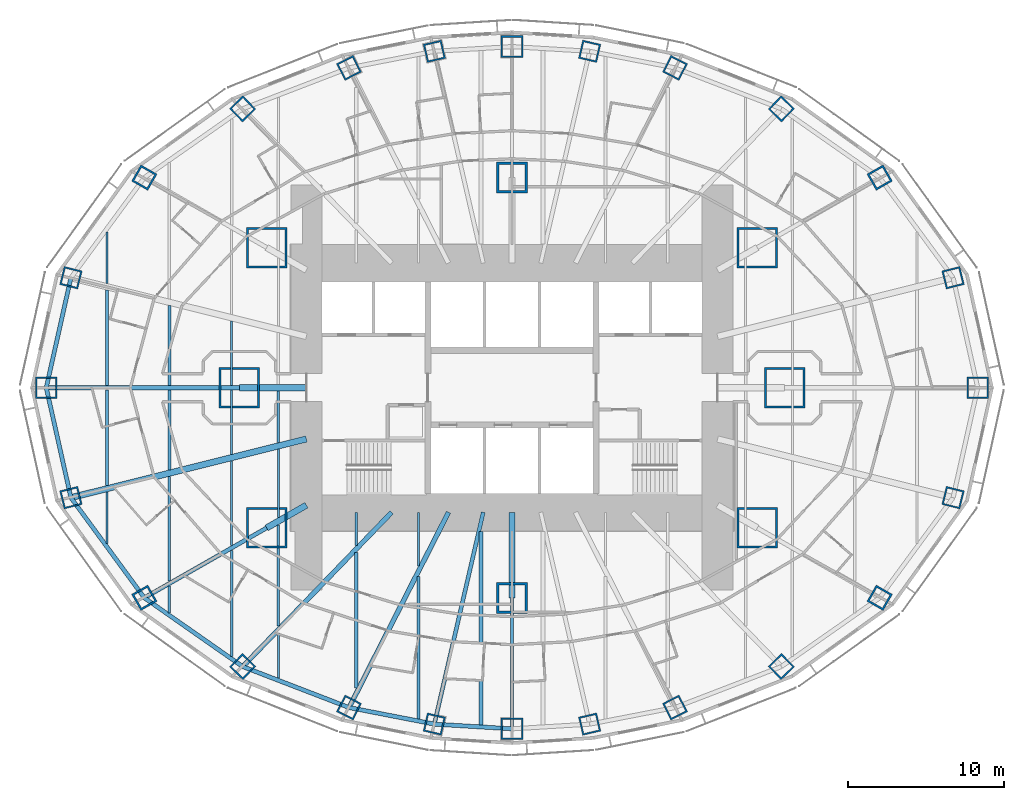
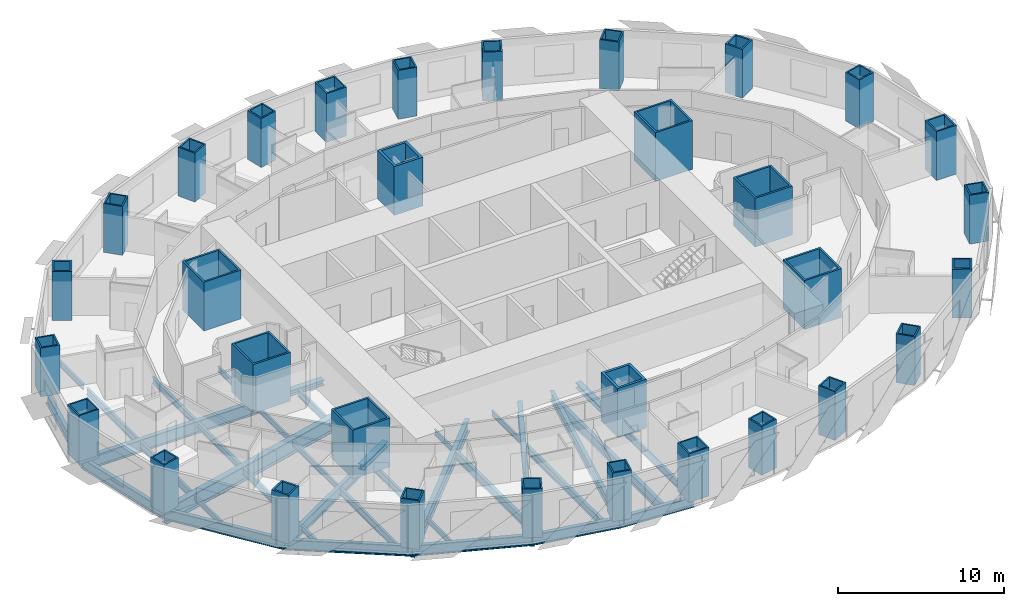
# One storey, part 1 of 15: 38 beams, 32 columns.
"""IFC4 building model written with IfcOpenShell, lengths in metres."""

from ifc_helpers import new_model, si_unit, direction, frame, origin, origin_2d, place, context, subcontext, project, spatial, rectangle, hollow_rectangle, i_section, extrude, material, material_profile, profile_set, type_object, element, save


model = new_model("IFC4")

# Units and contexts
model_context = context("Model", 3, precision=1e-05, world=origin(), true_north=direction((0.0, 1.0)))
body_context = subcontext(model_context, "Body", "Model", "MODEL_VIEW")
ifc_project = project(units=[si_unit("LENGTHUNIT", "METRE"), si_unit("AREAUNIT", "SQUARE_METRE"), si_unit("VOLUMEUNIT", "CUBIC_METRE"), si_unit("PLANEANGLEUNIT", "RADIAN"), si_unit("MASSUNIT", "GRAM", prefix="KILO")], contexts=[model_context])

# Site, building, storey
site_placement = place(None, origin())
site = spatial("IfcSite", under=ifc_project, at=site_placement, CompositionType="ELEMENT")
building_placement = place(site_placement, origin())
building = spatial("IfcBuilding", under=site, at=building_placement, Name="Lantaw Convention Tower", CompositionType="ELEMENT")
storey_placement = place(building_placement, frame((0.0, 0.0, 62.199951171875)))
storey = spatial("IfcBuildingStorey", under=building, at=storey_placement, Name="L13", CompositionType="ELEMENT", Elevation=62.199951171875)

# Columns
ifc_material_1 = material(Name="Steel EN 10025-3 S460N", Category="steel")
ifc_material_profile_1 = material_profile(ifc_material_1, hollow_rectangle(XDim=2.0, YDim=2.0, WallThickness=0.169921875, at=origin_2d()), Name="BOX2000X170")
ifc_material_2 = material(Name="Concrete C60/75", Category="concrete")
ifc_material_profile_2 = material_profile(ifc_material_2, rectangle(XDim=1.659912109375, YDim=1.659912109375, at=origin_2d()), Name="Concrete fill of BOX2000X170")
ifc_profile_set_1 = profile_set([ifc_material_profile_1, ifc_material_profile_2], Name="Steel EN 10025-3 S460N")
column_type_1 = type_object("IfcColumnType", Name="Column MC BOX2000X170", PredefinedType="COLUMN", material=ifc_profile_set_1)
for number, where, z_axis, x_axis, name in (
    (1, (0.0, 13.5, 0.0), (0.0, 0.0, 1.0), (1.0, 0.0, 0.0), "Mega column M3"),
    (2, (0.0, -13.5, 0.0), (0.0, 0.0, 1.0), (1.0, 0.0, 0.0), "Mega column M7"),
):
    element("IfcColumn", number, at=place(storey_placement, frame(where, z_axis=z_axis, x_axis=x_axis)), inside=storey, type_object=column_type_1, Name=name, PredefinedType="COLUMN", context=body_context, shape_type="SweptSolid", body=[
        extrude(hollow_rectangle(XDim=2.0, YDim=2.0, WallThickness=0.169921875, at=origin_2d()), origin(), (0.0, 0.0, 1.0), 3.60009765625),
    ])
ifc_material_profile_3 = material_profile(ifc_material_1, hollow_rectangle(XDim=2.60009765625, YDim=2.60009765625, WallThickness=0.1298828125, at=origin_2d()), Name="BOX2600X130")
ifc_material_profile_4 = material_profile(ifc_material_2, rectangle(XDim=2.340087890625, YDim=2.340087890625, at=origin_2d()), Name="Concrete fill of BOX2600X130")
ifc_profile_set_2 = profile_set([ifc_material_profile_3, ifc_material_profile_4], Name="Steel EN 10025-3 S460N")
column_type_2 = type_object("IfcColumnType", Name="Column MC BOX2600X130", PredefinedType="COLUMN", material=ifc_profile_set_2)
for number, where, z_axis, x_axis, name in (
    (3, (17.5, 0.0, 0.0), (0.0, 0.0, 1.0), (1.0, 0.0, 0.0), "Mega column M1"),
    (4, (15.75, 9.0, 0.0), (0.0, 0.0, 1.0), (1.0, 0.0, 0.0), "Mega column M2"),
    (5, (-15.75, 9.0, 0.0), (0.0, 0.0, 1.0), (1.0, 0.0, 0.0), "Mega column M4"),
    (6, (-17.5, 0.0, 0.0), (0.0, 0.0, 1.0), (1.0, 0.0, 0.0), "Mega column M5"),
    (7, (-15.75, -9.0, 0.0), (0.0, 0.0, 1.0), (1.0, 0.0, 0.0), "Mega column M6"),
    (8, (15.75, -9.0, 0.0), (0.0, 0.0, 1.0), (1.0, 0.0, 0.0), "Mega column M8"),
):
    element("IfcColumn", number, at=place(storey_placement, frame(where, z_axis=z_axis, x_axis=x_axis)), inside=storey, type_object=column_type_2, Name=name, PredefinedType="COLUMN", context=body_context, shape_type="SweptSolid", body=[
        extrude(hollow_rectangle(XDim=2.60009765625, YDim=2.60009765625, WallThickness=0.1298828125, at=origin_2d()), origin(), (0.0, 0.0, 1.0), 3.60009765625),
    ])
ifc_material_profile_5 = material_profile(ifc_material_1, hollow_rectangle(XDim=1.199951171875, YDim=1.199951171875, WallThickness=0.10009765625, at=origin_2d()), Name="BOX1200X100")
ifc_material_profile_6 = material_profile(ifc_material_2, rectangle(XDim=1.0, YDim=1.0, at=origin_2d()), Name="Concrete fill of BOX1200X100")
ifc_profile_set_3 = profile_set([ifc_material_profile_5, ifc_material_profile_6], Name="Steel EN 10025-3 S460N")
column_type_3 = type_object("IfcColumnType", Name="Column PC BOX1200X100", PredefinedType="COLUMN", material=ifc_profile_set_3)
for number, where, z_axis, x_axis, name in (
    (9, (28.31787109375, 7.060302734375, 0.0), (0.0, 0.0, 1.0), (0.970295726276, 0.2419218956, 0.0), "Perimeter column P2"),
    (10, (17.290771484375, 17.9052734375, 0.0), (0.0, 0.0, 1.0), (0.694658370459, 0.719339800339, 0.0), "Perimeter column P4"),
    (11, (10.462646484375, 20.533935546875, 0.0), (0.0, 0.0, 1.0), (0.45399049974, 0.891006524188, 0.0), "Perimeter column P5"),
    (12, (4.986328125, 21.59814453125, 0.0), (0.0, 0.0, 1.0), (0.224951054344, 0.974370064785, 0.0), "Perimeter column P6"),
    (13, (-4.986328125, 21.59814453125, 0.0), (0.0, 0.0, 1.0), (0.974370064785, 0.224951054344, 0.0), "Perimeter column P8"),
    (14, (-10.462646484375, 20.533935546875, 0.0), (0.0, 0.0, 1.0), (0.891006524188, 0.45399049974, 0.0), "Perimeter column P9"),
    (15, (-17.290771484375, 17.9052734375, 0.0), (0.0, 0.0, 1.0), (0.719339800339, 0.694658370459, 0.0), "Perimeter column P10"),
    (16, (-28.31787109375, 7.060302734375, 0.0), (0.0, 0.0, 1.0), (0.2419218956, 0.970295726276, 0.0), "Perimeter column P12"),
    (17, (-28.31787109375, -7.060302734375, 0.0), (0.0, 0.0, 1.0), (0.970295726276, 0.2419218956, 0.0), "Perimeter column P14"),
    (18, (-17.290771484375, -17.9052734375, 0.0), (0.0, 0.0, 1.0), (0.694658370459, 0.719339800339, 0.0), "Perimeter column P16"),
    (19, (-10.462646484375, -20.533935546875, 0.0), (0.0, 0.0, 1.0), (0.45399049974, 0.891006524188, 0.0), "Perimeter column P17"),
    (20, (-4.986328125, -21.59814453125, 0.0), (0.0, 0.0, 1.0), (0.224951054344, 0.974370064785, 0.0), "Perimeter column P18"),
    (21, (4.986328125, -21.59814453125, 0.0), (0.0, 0.0, 1.0), (0.974370064785, 0.224951054344, 0.0), "Perimeter column P20"),
    (22, (10.462646484375, -20.533935546875, 0.0), (0.0, 0.0, 1.0), (0.891006524188, 0.45399049974, 0.0), "Perimeter column P21"),
    (23, (17.290771484375, -17.9052734375, 0.0), (0.0, 0.0, 1.0), (0.719339800339, 0.694658370459, 0.0), "Perimeter column P22"),
    (24, (28.31787109375, -7.060302734375, 0.0), (0.0, 0.0, 1.0), (0.2419218956, 0.970295726276, 0.0), "Perimeter column P24"),
):
    element("IfcColumn", number, at=place(storey_placement, frame(where, z_axis=z_axis, x_axis=x_axis)), inside=storey, type_object=column_type_3, Name=name, PredefinedType="COLUMN", context=body_context, shape_type="SweptSolid", body=[
        extrude(hollow_rectangle(XDim=1.199951171875, YDim=1.199951171875, WallThickness=0.10009765625, at=origin_2d()), origin(), (0.0, 0.0, 1.0), 3.60009765625),
    ])
ifc_material_profile_7 = material_profile(ifc_material_1, hollow_rectangle(XDim=1.199951171875, YDim=1.199951171875, WallThickness=0.1201171875, at=origin_2d()), Name="BOX1200X120")
ifc_material_profile_8 = material_profile(ifc_material_2, rectangle(XDim=0.9599609375, YDim=0.9599609375, at=origin_2d()), Name="Concrete fill of BOX1200X120")
ifc_profile_set_4 = profile_set([ifc_material_profile_7, ifc_material_profile_8], Name="Steel EN 10025-3 S460N")
column_type_4 = type_object("IfcColumnType", Name="Column PC BOX1200X120", PredefinedType="COLUMN", material=ifc_profile_set_4)
for number, where, z_axis, x_axis, name in (
    (25, (23.60498046875, 13.488525390625, 0.0), (0.0, 0.0, 1.0), (0.86824298017, 0.496139221777, 0.0), "Perimeter column P3"),
    (26, (-23.60498046875, 13.488525390625, 0.0), (0.0, 0.0, 1.0), (0.496139221777, 0.86824298017, 0.0), "Perimeter column P11"),
    (27, (-23.60498046875, -13.488525390625, 0.0), (0.0, 0.0, 1.0), (0.86824298017, 0.496139221777, 0.0), "Perimeter column P15"),
    (28, (23.60498046875, -13.488525390625, 0.0), (0.0, 0.0, 1.0), (0.496139221777, 0.86824298017, 0.0), "Perimeter column P23"),
):
    element("IfcColumn", number, at=place(storey_placement, frame(where, z_axis=z_axis, x_axis=x_axis)), inside=storey, type_object=column_type_4, Name=name, PredefinedType="COLUMN", context=body_context, shape_type="SweptSolid", body=[
        extrude(hollow_rectangle(XDim=1.199951171875, YDim=1.199951171875, WallThickness=0.1201171875, at=origin_2d()), origin(), (0.0, 0.0, 1.0), 3.60009765625),
    ])
ifc_material_profile_9 = material_profile(ifc_material_1, hollow_rectangle(XDim=1.39990234375, YDim=1.39990234375, WallThickness=0.10009765625, at=origin_2d()), Name="BOX1400X100")
ifc_material_profile_10 = material_profile(ifc_material_2, rectangle(XDim=1.199951171875, YDim=1.199951171875, at=origin_2d()), Name="Concrete fill of BOX1400X100")
ifc_profile_set_5 = profile_set([ifc_material_profile_9, ifc_material_profile_10], Name="Steel EN 10025-3 S460N")
column_type_5 = type_object("IfcColumnType", Name="Column PC BOX1400X100", PredefinedType="COLUMN", material=ifc_profile_set_5)
for number, where, z_axis, x_axis, name in (
    (29, (29.89990234375, 0.0, 0.0), (0.0, 0.0, 1.0), (1.0, 0.0, 0.0), "Perimeter column P1"),
    (30, (0.0, 21.89990234375, 0.0), (0.0, 0.0, 1.0), (1.0, 0.0, 0.0), "Perimeter column P7"),
    (31, (-29.89990234375, 0.0, 0.0), (0.0, 0.0, 1.0), (1.0, 0.0, 0.0), "Perimeter column P13"),
    (32, (0.0, -21.89990234375, 0.0), (0.0, 0.0, 1.0), (1.0, 0.0, 0.0), "Perimeter column P19"),
):
    element("IfcColumn", number, at=place(storey_placement, frame(where, z_axis=z_axis, x_axis=x_axis)), inside=storey, type_object=column_type_5, Name=name, PredefinedType="COLUMN", context=body_context, shape_type="SweptSolid", body=[
        extrude(hollow_rectangle(XDim=1.39990234375, YDim=1.39990234375, WallThickness=0.10009765625, at=origin_2d()), origin(), (0.0, 0.0, 1.0), 3.60009765625),
    ])

# Beams
ifc_material_3 = material(Name="Steel ASTM A992", Category="steel")
ifc_material_profile_11 = material_profile(ifc_material_3, i_section(OverallWidth=0.2666015625, OverallDepth=0.76953125, WebThickness=0.015625, FlangeThickness=0.025390625, FilletRadius=0.0126953125, at=origin_2d()), Name="W30X132")
ifc_profile_set_6 = profile_set([ifc_material_profile_11], Name="Steel ASTM A992")
beam_type_1 = type_object("IfcBeamType", Name="Beam E W30X132", PredefinedType="SPANDREL", material=ifc_profile_set_6)
for number, where, z_axis, x_axis, name in (
    (33, (-28.31787109375, 7.060302734375, -0.53466796875), (-0.218652184873, -0.975802860239, 0.0), (0.975802860239, -0.218652184873, 0.0), "Edge beam 12"),
    (34, (-29.89990234375, 0.0, -0.53466796875), (0.218652184873, -0.975802860239, 0.0), (0.975802860239, 0.218652184873, 0.0), "Edge beam 13"),
):
    element("IfcBeam", number, at=place(storey_placement, frame(where, z_axis=z_axis, x_axis=x_axis)), inside=storey, type_object=beam_type_1, Name=name, PredefinedType="SPANDREL", context=body_context, shape_type="SweptSolid", body=[
        extrude(i_section(OverallWidth=0.2666015625, OverallDepth=0.76953125, WebThickness=0.015625, FlangeThickness=0.025390625, FilletRadius=0.0126953125, at=origin_2d()), origin(), (0.0, 0.0, 1.0), 7.2353515625),
    ])
beam_1_placement = place(storey_placement, frame((-28.31787109375, -7.060302734375, -0.53466796875), z_axis=(0.591270709086, -0.806473154281, 0.0), x_axis=(0.806473154281, 0.591270709086, 0.0)))
element("IfcBeam", 35, at=beam_1_placement, inside=storey, type_object=beam_type_1, Name="Edge beam 14", PredefinedType="SPANDREL", context=body_context, shape_type="SweptSolid", body=[
    extrude(i_section(OverallWidth=0.2666015625, OverallDepth=0.76953125, WebThickness=0.015625, FlangeThickness=0.025390625, FilletRadius=0.0126953125, at=origin_2d()), origin(), (0.0, 0.0, 1.0), 7.970703125),
])
beam_2_placement = place(storey_placement, frame((-23.60498046875, -13.488525390625, -0.53466796875), z_axis=(0.81942686407, -0.57318375277, 0.0), x_axis=(0.57318375277, 0.81942686407, 0.0)))
element("IfcBeam", 36, at=beam_2_placement, inside=storey, type_object=beam_type_1, Name="Edge beam 15", PredefinedType="SPANDREL", context=body_context, shape_type="SweptSolid", body=[
    extrude(i_section(OverallWidth=0.2666015625, OverallDepth=0.76953125, WebThickness=0.015625, FlangeThickness=0.025390625, FilletRadius=0.0126953125, at=origin_2d()), origin(), (0.0, 0.0, 1.0), 7.70556640625),
])
beam_3_placement = place(storey_placement, frame((-17.290771484375, -17.9052734375, -0.53466796875), z_axis=(0.933232900641, -0.359271976588, 0.0), x_axis=(0.359271976588, 0.933232900641, 0.0)))
element("IfcBeam", 37, at=beam_3_placement, inside=storey, type_object=beam_type_1, Name="Edge beam 16", PredefinedType="SPANDREL", context=body_context, shape_type="SweptSolid", body=[
    extrude(i_section(OverallWidth=0.2666015625, OverallDepth=0.76953125, WebThickness=0.015625, FlangeThickness=0.025390625, FilletRadius=0.0126953125, at=origin_2d()), origin(), (0.0, 0.0, 1.0), 7.316650390625),
])
beam_4_placement = place(storey_placement, frame((-10.462646484375, -20.533935546875, -0.53466796875), z_axis=(0.981636565323, -0.190760723474, 0.0), x_axis=(0.190760723474, 0.981636565323, 0.0)))
element("IfcBeam", 38, at=beam_4_placement, inside=storey, type_object=beam_type_1, Name="Edge beam 17", PredefinedType="SPANDREL", context=body_context, shape_type="SweptSolid", body=[
    extrude(i_section(OverallWidth=0.2666015625, OverallDepth=0.76953125, WebThickness=0.015625, FlangeThickness=0.025390625, FilletRadius=0.0126953125, at=origin_2d()), origin(), (0.0, 0.0, 1.0), 5.578857421875),
])
beam_5_placement = place(storey_placement, frame((-4.986328125, -21.59814453125, -0.53466796875), z_axis=(0.998173858406, -0.060406526096, 0.0), x_axis=(0.060406526096, 0.998173858406, 0.0)))
element("IfcBeam", 39, at=beam_5_placement, inside=storey, type_object=beam_type_1, Name="Edge beam 18", PredefinedType="SPANDREL", context=body_context, shape_type="SweptSolid", body=[
    extrude(i_section(OverallWidth=0.2666015625, OverallDepth=0.76953125, WebThickness=0.015625, FlangeThickness=0.025390625, FilletRadius=0.0126953125, at=origin_2d()), origin(), (0.0, 0.0, 1.0), 4.995361328125),
])
ifc_material_profile_12 = material_profile(ifc_material_3, i_section(OverallWidth=0.1650390625, OverallDepth=0.52587890625, WebThickness=0.0087890625, FlangeThickness=0.011474609375, FilletRadius=0.0126953125, at=origin_2d()), Name="W21X44")
ifc_profile_set_7 = profile_set([ifc_material_profile_12], Name="Steel ASTM A992")
beam_type_2 = type_object("IfcBeamType", Name="Beam G W21X44", PredefinedType="BEAM", material=ifc_profile_set_7)
beam_6_placement = place(storey_placement, frame((0.0, -13.5, -0.412841796875), z_axis=(0.0, -1.0, 0.0), x_axis=(1.0, 0.0, 0.0)))
element("IfcBeam", 40, at=beam_6_placement, inside=storey, type_object=beam_type_2, Name="Floor girder on ray 19", PredefinedType="BEAM", context=body_context, shape_type="SweptSolid", body=[
    extrude(i_section(OverallWidth=0.1650390625, OverallDepth=0.52587890625, WebThickness=0.0087890625, FlangeThickness=0.011474609375, FilletRadius=0.0126953125, at=origin_2d()), origin(), (0.0, 0.0, 1.0), 8.39990234375),
])
ifc_material_profile_13 = material_profile(ifc_material_3, i_section(OverallWidth=0.25390625, OverallDepth=0.683349609375, WebThickness=0.012451171875, FlangeThickness=0.01904296875, FilletRadius=0.01513671875, at=origin_2d()), Name="W27X94")
ifc_profile_set_8 = profile_set([ifc_material_profile_13], Name="Steel ASTM A992")
beam_type_3 = type_object("IfcBeamType", Name="Beam G W27X94", PredefinedType="BEAM", material=ifc_profile_set_8)
beam_7_placement = place(storey_placement, frame((-1.846923828125, -8.0, -0.49169921875), z_axis=(-0.224952773175, -0.97436966796, 0.0), x_axis=(0.97436966796, -0.224952773175, 0.0)))
element("IfcBeam", 41, at=beam_7_placement, inside=storey, type_object=beam_type_3, Name="Floor girder on ray 18", PredefinedType="BEAM", context=body_context, shape_type="SweptSolid", body=[
    extrude(i_section(OverallWidth=0.25390625, OverallDepth=0.683349609375, WebThickness=0.012451171875, FlangeThickness=0.01904296875, FilletRadius=0.01513671875, at=origin_2d()), origin(), (0.0, 0.0, 1.0), 13.955810546875),
])
ifc_material_profile_14 = material_profile(ifc_material_3, i_section(OverallWidth=0.2666015625, OverallDepth=0.7568359375, WebThickness=0.013916015625, FlangeThickness=0.019287109375, FilletRadius=0.0126953125, at=origin_2d()), Name="W30X108")
ifc_profile_set_9 = profile_set([ifc_material_profile_14], Name="Steel ASTM A992")
beam_type_4 = type_object("IfcBeamType", Name="Beam G W30X108", PredefinedType="BEAM", material=ifc_profile_set_9)
beam_8_placement = place(storey_placement, frame((-15.75, -9.0, -0.5283203125), z_axis=(-0.868244802791, -0.496136032179, 0.0), x_axis=(0.496136032179, -0.868244802791, 0.0)))
element("IfcBeam", 42, at=beam_8_placement, inside=storey, type_object=beam_type_4, Name="Floor girder on ray 15", PredefinedType="BEAM", context=body_context, shape_type="SweptSolid", body=[
    extrude(i_section(OverallWidth=0.2666015625, OverallDepth=0.7568359375, WebThickness=0.013916015625, FlangeThickness=0.019287109375, FilletRadius=0.0126953125, at=origin_2d()), origin(), (0.0, 0.0, 1.0), 9.046875),
])
ifc_material_profile_15 = material_profile(ifc_material_3, i_section(OverallWidth=0.307373046875, OverallDepth=0.922119140625, WebThickness=0.018310546875, FlangeThickness=0.030029296875, FilletRadius=0.0126953125, at=origin_2d()), Name="W36X182")
ifc_profile_set_10 = profile_set([ifc_material_profile_15], Name="Steel ASTM A992")
beam_type_5 = type_object("IfcBeamType", Name="Beam G W36X182", PredefinedType="BEAM", material=ifc_profile_set_10)
beam_9_placement = place(storey_placement, frame((-17.5, 0.0, -0.61083984375), z_axis=(-1.0, 0.0, 0.0), x_axis=(0.0, -1.0, 0.0)))
element("IfcBeam", 43, at=beam_9_placement, inside=storey, type_object=beam_type_5, Name="Floor girder on ray 13", PredefinedType="BEAM", context=body_context, shape_type="SweptSolid", body=[
    extrude(i_section(OverallWidth=0.307373046875, OverallDepth=0.922119140625, WebThickness=0.018310546875, FlangeThickness=0.030029296875, FilletRadius=0.0126953125, at=origin_2d()), origin(), (0.0, 0.0, 1.0), 12.39990234375),
])
beam_10_placement = place(storey_placement, frame((-7.7255859375, -8.0, -0.61083984375), z_axis=(-0.694649884291, -0.719347995239, 0.0), x_axis=(0.719347995239, -0.694649884291, 0.0)))
element("IfcBeam", 44, at=beam_10_placement, inside=storey, type_object=beam_type_5, Name="Floor girder on ray 16", PredefinedType="BEAM", context=body_context, shape_type="SweptSolid", body=[
    extrude(i_section(OverallWidth=0.307373046875, OverallDepth=0.922119140625, WebThickness=0.018310546875, FlangeThickness=0.030029296875, FilletRadius=0.0126953125, at=origin_2d()), origin(), (0.0, 0.0, 1.0), 13.769775390625),
])
beam_11_placement = place(storey_placement, frame((-4.076171875, -8.0, -0.61083984375), z_axis=(-0.453997016122, -0.891003203896, 0.0), x_axis=(0.891003203896, -0.453997016122, 0.0)))
element("IfcBeam", 45, at=beam_11_placement, inside=storey, type_object=beam_type_5, Name="Floor girder on ray 17", PredefinedType="BEAM", context=body_context, shape_type="SweptSolid", body=[
    extrude(i_section(OverallWidth=0.307373046875, OverallDepth=0.922119140625, WebThickness=0.018310546875, FlangeThickness=0.030029296875, FilletRadius=0.0126953125, at=origin_2d()), origin(), (0.0, 0.0, 1.0), 14.067138671875),
])
ifc_material_profile_16 = material_profile(ifc_material_3, i_section(OverallWidth=0.40380859375, OverallDepth=1.11767578125, WebThickness=0.026123046875, FlangeThickness=0.044921875, FilletRadius=0.02001953125, at=origin_2d()), Name="W44X335")
ifc_profile_set_11 = profile_set([ifc_material_profile_16], Name="Steel ASTM A992")
beam_type_6 = type_object("IfcBeamType", Name="Beam G W44X335", PredefinedType="BEAM", material=ifc_profile_set_11)
beam_12_placement = place(storey_placement, frame((-13.199951171875, -3.291015625, -0.708740234375), z_axis=(-0.970296233567, -0.241919860957, 0.0), x_axis=(0.241919860957, -0.970296233567, 0.0)))
element("IfcBeam", 46, at=beam_12_placement, inside=storey, type_object=beam_type_6, Name="Floor girder on ray 14", PredefinedType="BEAM", context=body_context, shape_type="SweptSolid", body=[
    extrude(i_section(OverallWidth=0.40380859375, OverallDepth=1.11767578125, WebThickness=0.026123046875, FlangeThickness=0.044921875, FilletRadius=0.02001953125, at=origin_2d()), origin(), (0.0, 0.0, 1.0), 15.580810546875),
])
ifc_material_profile_17 = material_profile(ifc_material_3, i_section(OverallWidth=0.40380859375, OverallDepth=0.406494140625, WebThickness=0.027099609375, FlangeThickness=0.043701171875, FilletRadius=0.01513671875, at=origin_2d()), Name="W14X233")
ifc_profile_set_12 = profile_set([ifc_material_profile_17], Name="Steel ASTM A992")
beam_type_7 = type_object("IfcBeamType", Name="Beam GM W14X233", PredefinedType="BEAM", material=ifc_profile_set_12)
beam_13_placement = place(storey_placement, frame((-13.199951171875, 0.0, -0.353271484375), z_axis=(-1.0, 0.0, 0.0), x_axis=(0.0, -1.0, 0.0)))
element("IfcBeam", 47, at=beam_13_placement, inside=storey, type_object=beam_type_7, Name="Core link beam on ray 13", PredefinedType="BEAM", context=body_context, shape_type="SweptSolid", body=[
    extrude(i_section(OverallWidth=0.40380859375, OverallDepth=0.406494140625, WebThickness=0.027099609375, FlangeThickness=0.043701171875, FilletRadius=0.01513671875, at=origin_2d()), origin(), (0.0, 0.0, 1.0), 4.300048828125),
])
beam_14_placement = place(storey_placement, frame((-13.199951171875, -7.54296875, -0.353271484375), z_axis=(-0.868263603466, -0.496103129295, 0.0), x_axis=(0.496103129295, -0.868263603466, 0.0)))
element("IfcBeam", 48, at=beam_14_placement, inside=storey, type_object=beam_type_7, Name="Core link beam on ray 15", PredefinedType="BEAM", context=body_context, shape_type="SweptSolid", body=[
    extrude(i_section(OverallWidth=0.40380859375, OverallDepth=0.406494140625, WebThickness=0.027099609375, FlangeThickness=0.043701171875, FilletRadius=0.01513671875, at=origin_2d()), origin(), (0.0, 0.0, 1.0), 2.93701171875),
])
beam_15_placement = place(storey_placement, frame((0.0, -8.0, -0.353271484375), z_axis=(0.0, -1.0, 0.0), x_axis=(1.0, 0.0, 0.0)))
element("IfcBeam", 49, at=beam_15_placement, inside=storey, type_object=beam_type_7, Name="Core link beam on ray 19", PredefinedType="BEAM", context=body_context, shape_type="SweptSolid", body=[
    extrude(i_section(OverallWidth=0.40380859375, OverallDepth=0.406494140625, WebThickness=0.027099609375, FlangeThickness=0.043701171875, FilletRadius=0.01513671875, at=origin_2d()), origin(), (0.0, 0.0, 1.0), 5.5),
])
ifc_material_profile_18 = material_profile(ifc_material_3, i_section(OverallWidth=0.140380859375, OverallDepth=0.40380859375, WebThickness=0.007080078125, FlangeThickness=0.01123046875, FilletRadius=0.01025390625, at=origin_2d()), Name="W16X31")
ifc_profile_set_13 = profile_set([ifc_material_profile_18], Name="Steel ASTM A992")
beam_type_8 = type_object("IfcBeamType", Name="Beam J W16X31", PredefinedType="JOIST", material=ifc_profile_set_13)
for number, where, z_axis, x_axis, name in (
    (50, (-26.0, -9.996337890625, -0.351806640625), (0.0, 1.0, 0.0), (-1.0, 0.0, 0.0), "Floor joist"),
    (51, (-26.0, 6.690673828125, -0.351806640625), (0.0, 1.0, 0.0), (-1.0, 0.0, 0.0), "Floor joist"),
):
    element("IfcBeam", number, at=place(storey_placement, frame(where, z_axis=z_axis, x_axis=x_axis)), inside=storey, type_object=beam_type_8, Name=name, PredefinedType="JOIST", context=body_context, shape_type="SweptSolid", body=[
        extrude(i_section(OverallWidth=0.140380859375, OverallDepth=0.40380859375, WebThickness=0.007080078125, FlangeThickness=0.01123046875, FilletRadius=0.01025390625, at=origin_2d()), origin(), (0.0, 0.0, 1.0), 3.3056640625),
    ])
beam_16_placement = place(storey_placement, frame((-22.0, -14.448486328125, -0.351806640625), z_axis=(0.0, 1.0, 0.0), x_axis=(-1.0, 0.0, 0.0)))
element("IfcBeam", 52, at=beam_16_placement, inside=storey, type_object=beam_type_8, Name="Floor joist", PredefinedType="JOIST", context=body_context, shape_type="SweptSolid", body=[
    extrude(i_section(OverallWidth=0.140380859375, OverallDepth=0.40380859375, WebThickness=0.007080078125, FlangeThickness=0.01123046875, FilletRadius=0.01025390625, at=origin_2d()), origin(), (0.0, 0.0, 1.0), 1.723388671875),
])
beam_17_placement = place(storey_placement, frame((-18.0, -10.132080078125, -0.351806640625), z_axis=(0.0, 1.0, 0.0), x_axis=(-1.0, 0.0, 0.0)))
element("IfcBeam", 53, at=beam_17_placement, inside=storey, type_object=beam_type_8, Name="Floor joist", PredefinedType="JOIST", context=body_context, shape_type="SweptSolid", body=[
    extrude(i_section(OverallWidth=0.140380859375, OverallDepth=0.40380859375, WebThickness=0.007080078125, FlangeThickness=0.01123046875, FilletRadius=0.01025390625, at=origin_2d()), origin(), (0.0, 0.0, 1.0), 5.43603515625),
])
for number, where, z_axis, x_axis, name in (
    (54, (-18.0, -4.27978515625, -0.351806640625), (0.0, 1.0, 0.0), (-1.0, 0.0, 0.0), "Floor joist"),
    (55, (-18.0, 0.153564453125, -0.351806640625), (0.0, 1.0, 0.0), (-1.0, 0.0, 0.0), "Floor joist"),
):
    element("IfcBeam", number, at=place(storey_placement, frame(where, z_axis=z_axis, x_axis=x_axis)), inside=storey, type_object=beam_type_8, Name=name, PredefinedType="JOIST", context=body_context, shape_type="SweptSolid", body=[
        extrude(i_section(OverallWidth=0.140380859375, OverallDepth=0.40380859375, WebThickness=0.007080078125, FlangeThickness=0.01123046875, FilletRadius=0.01025390625, at=origin_2d()), origin(), (0.0, 0.0, 1.0), 4.126220703125),
    ])
beam_18_placement = place(storey_placement, frame((-15.0, -18.644287109375, -0.351806640625), z_axis=(0.0, 1.0, 0.0), x_axis=(-1.0, 0.0, 0.0)))
element("IfcBeam", 56, at=beam_18_placement, inside=storey, type_object=beam_type_8, Name="Floor joist", PredefinedType="JOIST", context=body_context, shape_type="SweptSolid", body=[
    extrude(i_section(OverallWidth=0.140380859375, OverallDepth=0.40380859375, WebThickness=0.007080078125, FlangeThickness=0.01123046875, FilletRadius=0.01025390625, at=origin_2d()), origin(), (0.0, 0.0, 1.0), 2.89013671875),
])
beam_19_placement = place(storey_placement, frame((-15.0, -8.3388671875, -0.351806640625), z_axis=(0.0, 1.0, 0.0), x_axis=(-1.0, 0.0, 0.0)))
element("IfcBeam", 57, at=beam_19_placement, inside=storey, type_object=beam_type_8, Name="Floor joist", PredefinedType="JOIST", context=body_context, shape_type="SweptSolid", body=[
    extrude(i_section(OverallWidth=0.140380859375, OverallDepth=0.40380859375, WebThickness=0.007080078125, FlangeThickness=0.01123046875, FilletRadius=0.01025390625, at=origin_2d()), origin(), (0.0, 0.0, 1.0), 4.390869140625),
])
beam_20_placement = place(storey_placement, frame((-10.0, -10.134033203125, -0.351806640625), z_axis=(0.0, 1.0, 0.0), x_axis=(-1.0, 0.0, 0.0)))
element("IfcBeam", 58, at=beam_20_placement, inside=storey, type_object=beam_type_8, Name="Floor joist", PredefinedType="JOIST", context=body_context, shape_type="SweptSolid", body=[
    extrude(i_section(OverallWidth=0.140380859375, OverallDepth=0.40380859375, WebThickness=0.007080078125, FlangeThickness=0.01123046875, FilletRadius=0.01025390625, at=origin_2d()), origin(), (0.0, 0.0, 1.0), 2.134033203125),
])
beam_21_placement = place(storey_placement, frame((-6.0, -11.437255859375, -0.351806640625), z_axis=(0.0, 1.0, 0.0), x_axis=(-1.0, 0.0, 0.0)))
element("IfcBeam", 59, at=beam_21_placement, inside=storey, type_object=beam_type_8, Name="Floor joist", PredefinedType="JOIST", context=body_context, shape_type="SweptSolid", body=[
    extrude(i_section(OverallWidth=0.140380859375, OverallDepth=0.40380859375, WebThickness=0.007080078125, FlangeThickness=0.01123046875, FilletRadius=0.01025390625, at=origin_2d()), origin(), (0.0, 0.0, 1.0), 3.437255859375),
])
ifc_material_profile_19 = material_profile(ifc_material_3, i_section(OverallWidth=0.1904296875, OverallDepth=0.457275390625, WebThickness=0.009033203125, FlangeThickness=0.014404296875, FilletRadius=0.01025390625, at=origin_2d()), Name="W18X50")
ifc_profile_set_14 = profile_set([ifc_material_profile_19], Name="Steel ASTM A992")
beam_type_9 = type_object("IfcBeamType", Name="Beam J W18X50", PredefinedType="JOIST", material=ifc_profile_set_14)
for number, where, z_axis, x_axis, name in (
    (60, (-22.0, -5.277099609375, -0.378662109375), (0.0, 1.0, 0.0), (-1.0, 0.0, 0.0), "Floor joist"),
    (61, (-22.0, 0.153564453125, -0.378662109375), (0.0, 1.0, 0.0), (-1.0, 0.0, 0.0), "Floor joist"),
):
    element("IfcBeam", number, at=place(storey_placement, frame(where, z_axis=z_axis, x_axis=x_axis)), inside=storey, type_object=beam_type_9, Name=name, PredefinedType="JOIST", context=body_context, shape_type="SweptSolid", body=[
        extrude(i_section(OverallWidth=0.1904296875, OverallDepth=0.457275390625, WebThickness=0.009033203125, FlangeThickness=0.014404296875, FilletRadius=0.01025390625, at=origin_2d()), origin(), (0.0, 0.0, 1.0), 5.12353515625),
    ])
ifc_material_profile_20 = material_profile(ifc_material_3, i_section(OverallWidth=0.1650390625, OverallDepth=0.52587890625, WebThickness=0.0087890625, FlangeThickness=0.011474609375, FilletRadius=0.0126953125, at=origin_2d()), Name="W21X44")
ifc_profile_set_15 = profile_set([ifc_material_profile_20], Name="Steel ASTM A992")
beam_type_10 = type_object("IfcBeamType", Name="Beam J W21X44", PredefinedType="JOIST", material=ifc_profile_set_15)
beam_22_placement = place(storey_placement, frame((-22.0, -12.41796875, -0.412841796875), z_axis=(0.0, 1.0, 0.0), x_axis=(-1.0, 0.0, 0.0)))
element("IfcBeam", 62, at=beam_22_placement, inside=storey, type_object=beam_type_10, Name="Floor joist", PredefinedType="JOIST", context=body_context, shape_type="SweptSolid", body=[
    extrude(i_section(OverallWidth=0.1650390625, OverallDepth=0.52587890625, WebThickness=0.0087890625, FlangeThickness=0.011474609375, FilletRadius=0.0126953125, at=origin_2d()), origin(), (0.0, 0.0, 1.0), 6.724609375),
])
beam_23_placement = place(storey_placement, frame((-18.0, -17.246337890625, -0.412841796875), z_axis=(0.0, 1.0, 0.0), x_axis=(-1.0, 0.0, 0.0)))
element("IfcBeam", 63, at=beam_23_placement, inside=storey, type_object=beam_type_10, Name="Floor joist", PredefinedType="JOIST", context=body_context, shape_type="SweptSolid", body=[
    extrude(i_section(OverallWidth=0.1650390625, OverallDepth=0.52587890625, WebThickness=0.0087890625, FlangeThickness=0.011474609375, FilletRadius=0.0126953125, at=origin_2d()), origin(), (0.0, 0.0, 1.0), 6.80712890625),
])
beam_24_placement = place(storey_placement, frame((-15.0, -15.311767578125, -0.412841796875), z_axis=(0.0, 1.0, 0.0), x_axis=(-1.0, 0.0, 0.0)))
element("IfcBeam", 64, at=beam_24_placement, inside=storey, type_object=beam_type_10, Name="Floor joist", PredefinedType="JOIST", context=body_context, shape_type="SweptSolid", body=[
    extrude(i_section(OverallWidth=0.1650390625, OverallDepth=0.52587890625, WebThickness=0.0087890625, FlangeThickness=0.011474609375, FilletRadius=0.0126953125, at=origin_2d()), origin(), (0.0, 0.0, 1.0), 6.5078125),
])
ifc_material_profile_21 = material_profile(ifc_material_3, i_section(OverallWidth=0.165771484375, OverallDepth=0.5283203125, WebThickness=0.009765625, FlangeThickness=0.013671875, FilletRadius=0.012939453125, at=origin_2d()), Name="W21X50")
ifc_profile_set_16 = profile_set([ifc_material_profile_21], Name="Steel ASTM A992")
beam_type_11 = type_object("IfcBeamType", Name="Beam J W21X50", PredefinedType="JOIST", material=ifc_profile_set_16)
for number, where, z_axis, x_axis, name in (
    (65, (-26.0, -6.2744140625, -0.4140625), (0.0, 1.0, 0.0), (-1.0, 0.0, 0.0), "Floor joist"),
    (66, (-26.0, 0.153564453125, -0.4140625), (0.0, 1.0, 0.0), (-1.0, 0.0, 0.0), "Floor joist"),
):
    element("IfcBeam", number, at=place(storey_placement, frame(where, z_axis=z_axis, x_axis=x_axis)), inside=storey, type_object=beam_type_11, Name=name, PredefinedType="JOIST", context=body_context, shape_type="SweptSolid", body=[
        extrude(i_section(OverallWidth=0.165771484375, OverallDepth=0.5283203125, WebThickness=0.009765625, FlangeThickness=0.013671875, FilletRadius=0.012939453125, at=origin_2d()), origin(), (0.0, 0.0, 1.0), 6.120849609375),
    ])
beam_25_placement = place(storey_placement, frame((-15.0, -3.53173828125, -0.4140625), z_axis=(0.0, 1.0, 0.0), x_axis=(-1.0, 0.0, 0.0)))
element("IfcBeam", 67, at=beam_25_placement, inside=storey, type_object=beam_type_11, Name="Floor joist", PredefinedType="JOIST", context=body_context, shape_type="SweptSolid", body=[
    extrude(i_section(OverallWidth=0.165771484375, OverallDepth=0.5283203125, WebThickness=0.009765625, FlangeThickness=0.013671875, FilletRadius=0.012939453125, at=origin_2d()), origin(), (0.0, 0.0, 1.0), 3.329833984375),
])
ifc_material_profile_22 = material_profile(ifc_material_3, i_section(OverallWidth=0.2099609375, OverallDepth=0.535888671875, WebThickness=0.010986328125, FlangeThickness=0.017333984375, FilletRadius=0.012939453125, at=origin_2d()), Name="W21X68")
ifc_profile_set_17 = profile_set([ifc_material_profile_22], Name="Steel ASTM A992")
beam_type_12 = type_object("IfcBeamType", Name="Beam J W21X68", PredefinedType="JOIST", material=ifc_profile_set_17)
beam_26_placement = place(storey_placement, frame((-6.0, -21.26513671875, -0.41796875), z_axis=(0.0, 1.0, 0.0), x_axis=(-1.0, 0.0, 0.0)))
element("IfcBeam", 68, at=beam_26_placement, inside=storey, type_object=beam_type_12, Name="Floor joist", PredefinedType="JOIST", context=body_context, shape_type="SweptSolid", body=[
    extrude(i_section(OverallWidth=0.2099609375, OverallDepth=0.535888671875, WebThickness=0.010986328125, FlangeThickness=0.017333984375, FilletRadius=0.012939453125, at=origin_2d()), origin(), (0.0, 0.0, 1.0), 9.15087890625),
])
ifc_material_profile_23 = material_profile(ifc_material_3, i_section(OverallWidth=0.227783203125, OverallDepth=0.60205078125, WebThickness=0.010498046875, FlangeThickness=0.014892578125, FilletRadius=0.012939453125, at=origin_2d()), Name="W24X68")
ifc_profile_set_18 = profile_set([ifc_material_profile_23], Name="Steel ASTM A992")
beam_type_13 = type_object("IfcBeamType", Name="Beam J W24X68", PredefinedType="JOIST", material=ifc_profile_set_18)
beam_27_placement = place(storey_placement, frame((-10.0, -19.28759765625, -0.450927734375), z_axis=(0.0, 1.0, 0.0), x_axis=(-1.0, 0.0, 0.0)))
element("IfcBeam", 69, at=beam_27_placement, inside=storey, type_object=beam_type_13, Name="Floor joist", PredefinedType="JOIST", context=body_context, shape_type="SweptSolid", body=[
    extrude(i_section(OverallWidth=0.227783203125, OverallDepth=0.60205078125, WebThickness=0.010498046875, FlangeThickness=0.014892578125, FilletRadius=0.012939453125, at=origin_2d()), origin(), (0.0, 0.0, 1.0), 8.711181640625),
])
ifc_material_profile_24 = material_profile(ifc_material_3, i_section(OverallWidth=0.25390625, OverallDepth=0.700927734375, WebThickness=0.015380859375, FlangeThickness=0.02783203125, FilletRadius=0.01513671875, at=origin_2d()), Name="W27X129")
ifc_profile_set_19 = profile_set([ifc_material_profile_24], Name="Steel ASTM A992")
beam_type_14 = type_object("IfcBeamType", Name="Beam J W27X129", PredefinedType="JOIST", material=ifc_profile_set_19)
beam_28_placement = place(storey_placement, frame((-2.0, -21.645263671875, -0.50048828125), z_axis=(0.0, 1.0, 0.0), x_axis=(-1.0, 0.0, 0.0)))
element("IfcBeam", 70, at=beam_28_placement, inside=storey, type_object=beam_type_14, Name="Floor joist", PredefinedType="JOIST", context=body_context, shape_type="SweptSolid", body=[
    extrude(i_section(OverallWidth=0.25390625, OverallDepth=0.700927734375, WebThickness=0.015380859375, FlangeThickness=0.02783203125, FilletRadius=0.01513671875, at=origin_2d()), origin(), (0.0, 0.0, 1.0), 12.417724609375),
])

save(model, "model.ifc")
